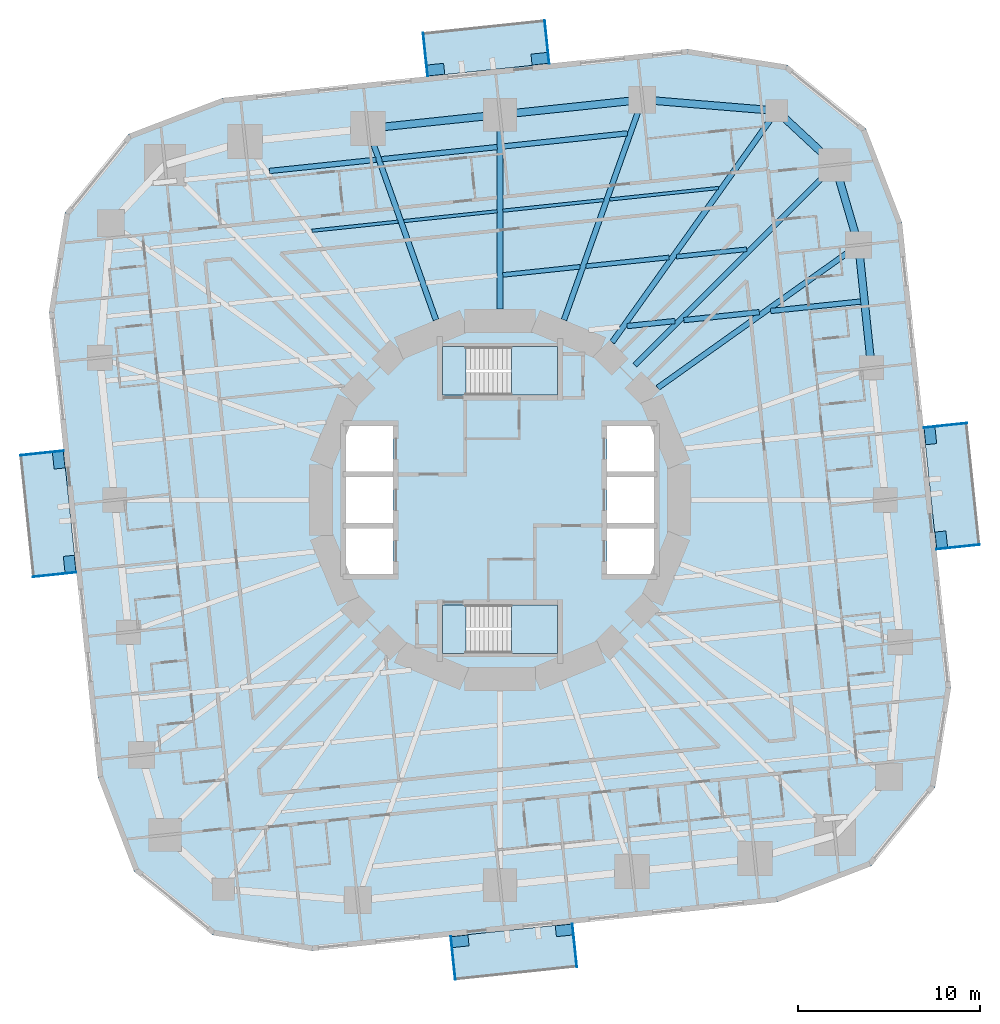
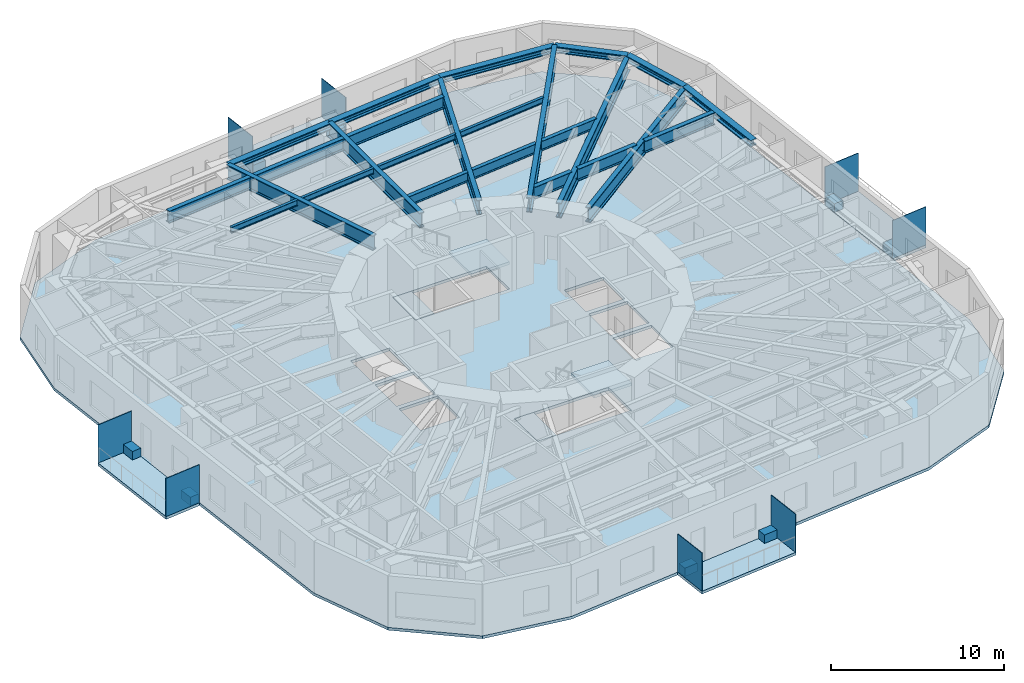
# One storey, part 3 of 13: 19 beams, 16 plates, 9 slabs, 6 members, 2 elements without a shape of their own.
"""IFC4 building model written with IfcOpenShell, lengths in metres."""

from ifc_helpers import new_model, si_unit, direction, frame, origin, origin_2d, place, context, subcontext, project, spatial, polyline, rectangle, i_section, outline, extrude, material, layer, layer_set, material_profile, profile_set, type_object, element, aggregate, save


model = new_model("IFC4")

# Units and contexts
model_context = context("Model", 3, precision=1e-05, world=origin(), true_north=direction((0.0, 1.0)))
body_context = subcontext(model_context, "Body", "Model", "MODEL_VIEW")
ifc_project = project(units=[si_unit("LENGTHUNIT", "METRE"), si_unit("AREAUNIT", "SQUARE_METRE"), si_unit("VOLUMEUNIT", "CUBIC_METRE"), si_unit("PLANEANGLEUNIT", "RADIAN"), si_unit("MASSUNIT", "GRAM", prefix="KILO")], contexts=[model_context])

# Site, building, storey
site_placement = place(None, origin())
site = spatial("IfcSite", under=ifc_project, at=site_placement, CompositionType="ELEMENT")
building_placement = place(site_placement, origin())
building = spatial("IfcBuilding", under=site, at=building_placement, Name="Nakasero Lantern House", CompositionType="ELEMENT")
storey_placement = place(building_placement, frame((0.0, 0.0, 91.300048828125)))
storey = spatial("IfcBuildingStorey", under=building, at=storey_placement, Name="L22", CompositionType="ELEMENT", Elevation=91.300048828125)

# Members
ifc_material_1 = material(Name="Steel S355", Category="steel")
ifc_material_profile_1 = material_profile(ifc_material_1, i_section(OverallWidth=0.41845703125, OverallDepth=0.45556640625, WebThickness=0.0419921875, FlangeThickness=0.0673828125, FilletRadius=0.01513671875, at=origin_2d()), Name="UC 356x406x551")
ifc_profile_set_1 = profile_set([ifc_material_profile_1], Name="Steel S355")
member_type = type_object("IfcMemberType", Name="Belt truss chord UC 356x406x551", PredefinedType="CHORD", material=ifc_profile_set_1)
member_1_placement = place(storey_placement, frame((20.35498046875, 7.2373046875, 3.422119140625), z_axis=(-0.10452524939, 0.994522233155, 0.0), x_axis=(-0.994522233155, -0.10452524939, 0.0)))
element("IfcMember", 1, at=member_1_placement, inside=storey, type_object=member_type, Name="Belt truss bottom chord T2 B2-C04", PredefinedType="CHORD", context=body_context, shape_type="SweptSolid", body=[
    extrude(i_section(OverallWidth=0.41845703125, OverallDepth=0.45556640625, WebThickness=0.0419921875, FlangeThickness=0.0673828125, FilletRadius=0.01513671875, at=origin_2d()), origin(), (0.0, 0.0, 1.0), 6.771240234375),
])
member_2_placement = place(storey_placement, frame((19.647216796875, 13.971435546875, 3.422119140625), z_axis=(-0.28161710443, 0.959526865957, 0.0), x_axis=(-0.959526865957, -0.28161710443, 0.0)))
element("IfcMember", 2, at=member_2_placement, inside=storey, type_object=member_type, Name="Belt truss bottom chord T2 B2-C05", PredefinedType="CHORD", context=body_context, shape_type="SweptSolid", body=[
    extrude(i_section(OverallWidth=0.41845703125, OverallDepth=0.45556640625, WebThickness=0.0419921875, FlangeThickness=0.0673828125, FilletRadius=0.01513671875, at=origin_2d()), origin(), (0.0, 0.0, 1.0), 4.572998046875),
])
member_3_placement = place(storey_placement, frame((18.359375, 18.359375, 3.422119140625), z_axis=(-0.732370510336, 0.680906333933, 0.0), x_axis=(-0.680906333933, -0.732370510336, 0.0)))
element("IfcMember", 3, at=member_3_placement, inside=storey, type_object=member_type, Name="Belt truss bottom chord T2 B2-C06", PredefinedType="CHORD", context=body_context, shape_type="SweptSolid", body=[
    extrude(i_section(OverallWidth=0.41845703125, OverallDepth=0.45556640625, WebThickness=0.0419921875, FlangeThickness=0.0673828125, FilletRadius=0.01513671875, at=origin_2d()), origin(), (0.0, 0.0, 1.0), 4.359619140625),
])
member_4_placement = place(storey_placement, frame((15.16650390625, 21.327880859375, 3.422119140625), z_axis=(-0.996618261264, 0.08217080574, 0.0), x_axis=(-0.08217080574, -0.996618261264, 0.0)))
element("IfcMember", 4, at=member_4_placement, inside=storey, type_object=member_type, Name="Belt truss bottom chord T2 B2-C07", PredefinedType="CHORD", context=body_context, shape_type="SweptSolid", body=[
    extrude(i_section(OverallWidth=0.41845703125, OverallDepth=0.45556640625, WebThickness=0.0419921875, FlangeThickness=0.0673828125, FilletRadius=0.01513671875, at=origin_2d()), origin(), (0.0, 0.0, 1.0), 7.39208984375),
])
member_5_placement = place(storey_placement, frame((7.79931640625, 21.935302734375, 3.422119140625), z_axis=(-0.994524030789, -0.104508144098, 0.0), x_axis=(0.104508144098, -0.994524030789, 0.0)))
element("IfcMember", 5, at=member_5_placement, inside=storey, type_object=member_type, Name="Belt truss bottom chord T2 B2-C08", PredefinedType="CHORD", context=body_context, shape_type="SweptSolid", body=[
    extrude(i_section(OverallWidth=0.41845703125, OverallDepth=0.45556640625, WebThickness=0.0419921875, FlangeThickness=0.0673828125, FilletRadius=0.01513671875, at=origin_2d()), origin(), (0.0, 0.0, 1.0), 7.84228515625),
])
member_6_placement = place(storey_placement, frame((0.0, 21.11572265625, 3.422119140625), z_axis=(-0.994520883746, -0.104538087767, 0.0), x_axis=(0.104538087767, -0.994520883746, 0.0)))
element("IfcMember", 6, at=member_6_placement, inside=storey, type_object=member_type, Name="Belt truss bottom chord T2 B2-C09", PredefinedType="CHORD", context=body_context, shape_type="SweptSolid", body=[
    extrude(i_section(OverallWidth=0.41845703125, OverallDepth=0.45556640625, WebThickness=0.0419921875, FlangeThickness=0.0673828125, FilletRadius=0.01513671875, at=origin_2d()), origin(), (0.0, 0.0, 1.0), 7.277099609375),
])

# Beams
ifc_material_2 = material(Name="Steel S355", Category="steel")
ifc_material_profile_2 = material_profile(ifc_material_2, i_section(OverallWidth=0.179443359375, OverallDepth=0.412841796875, WebThickness=0.009521484375, FlangeThickness=0.01611328125, FilletRadius=0.01025390625, at=origin_2d()), Name="UB 406x178x74")
ifc_profile_set_2 = profile_set([ifc_material_profile_2], Name="Steel S355")
beam_type_1 = type_object("IfcBeamType", Name="Infill beam UB 406x178x74", PredefinedType="JOIST", material=ifc_profile_set_2)
beam_1_placement = place(storey_placement, frame((-10.307373046875, 14.75341796875, 3.443603515625), z_axis=(0.994523747125, 0.104510843477, 0.0), x_axis=(-0.104510843477, 0.994523747125, 0.0)))
element("IfcBeam", 7, at=beam_1_placement, inside=storey, type_object=beam_type_1, Name="Infill beam L23 12.4", PredefinedType="JOIST", context=body_context, shape_type="SweptSolid", body=[
    extrude(i_section(OverallWidth=0.179443359375, OverallDepth=0.412841796875, WebThickness=0.009521484375, FlangeThickness=0.01611328125, FilletRadius=0.01025390625, at=origin_2d()), origin(), (0.0, 0.0, 1.0), 4.749267578125),
])
beam_2_placement = place(storey_placement, frame((-5.271728515625, 15.28271484375, 3.443603515625), z_axis=(0.994521035451, 0.104536644512, 0.0), x_axis=(-0.104536644512, 0.994521035451, 0.0)))
element("IfcBeam", 8, at=beam_2_placement, inside=storey, type_object=beam_type_1, Name="Infill beam L23 12.5", PredefinedType="JOIST", context=body_context, shape_type="SweptSolid", body=[
    extrude(i_section(OverallWidth=0.179443359375, OverallDepth=0.412841796875, WebThickness=0.009521484375, FlangeThickness=0.01611328125, FilletRadius=0.01025390625, at=origin_2d()), origin(), (0.0, 0.0, 1.0), 5.1474609375),
])
beam_3_placement = place(storey_placement, frame((0.152587890625, 15.852783203125, 3.443603515625), z_axis=(0.994523477097, 0.104513413028, 0.0), x_axis=(-0.104513413028, 0.994523477097, 0.0)))
element("IfcBeam", 9, at=beam_3_placement, inside=storey, type_object=beam_type_1, Name="Infill beam L23 12.6", PredefinedType="JOIST", context=body_context, shape_type="SweptSolid", body=[
    extrude(i_section(OverallWidth=0.179443359375, OverallDepth=0.412841796875, WebThickness=0.009521484375, FlangeThickness=0.01611328125, FilletRadius=0.01025390625, at=origin_2d()), origin(), (0.0, 0.0, 1.0), 5.56201171875),
])
beam_4_placement = place(storey_placement, frame((6.014892578125, 16.468994140625, 3.443603515625), z_axis=(0.994523091148, 0.104517085559, 0.0), x_axis=(-0.104517085559, 0.994523091148, 0.0)))
element("IfcBeam", 10, at=beam_4_placement, inside=storey, type_object=beam_type_1, Name="Infill beam L23 12.7", PredefinedType="JOIST", context=body_context, shape_type="SweptSolid", body=[
    extrude(i_section(OverallWidth=0.179443359375, OverallDepth=0.412841796875, WebThickness=0.009521484375, FlangeThickness=0.01611328125, FilletRadius=0.01025390625, at=origin_2d()), origin(), (0.0, 0.0, 1.0), 5.98681640625),
])
ifc_material_3 = material(Name="Steel S355", Category="steel")
ifc_material_profile_3 = material_profile(ifc_material_3, i_section(OverallWidth=0.253662109375, OverallDepth=0.68359375, WebThickness=0.012451171875, FlangeThickness=0.01904296875, FilletRadius=0.01513671875, at=origin_2d()), Name="UB 686x254x140")
ifc_profile_set_3 = profile_set([ifc_material_profile_3], Name="Steel S355")
beam_type_2 = type_object("IfcBeamType", Name="Infill beam UB 686x254x140", PredefinedType="JOIST", material=ifc_profile_set_3)
beam_5_placement = place(storey_placement, frame((0.152587890625, 12.33349609375, 3.30810546875), z_axis=(0.994520533601, 0.104541418809, 0.0), x_axis=(-0.104541418809, 0.994520533601, 0.0)))
element("IfcBeam", 11, at=beam_5_placement, inside=storey, type_object=beam_type_2, Name="Infill beam L23 11.6", PredefinedType="JOIST", context=body_context, shape_type="SweptSolid", body=[
    extrude(i_section(OverallWidth=0.253662109375, OverallDepth=0.68359375, WebThickness=0.012451171875, FlangeThickness=0.01904296875, FilletRadius=0.01513671875, at=origin_2d()), origin(), (0.0, 0.0, 1.0), 4.2548828125),
])
beam_6_placement = place(storey_placement, frame((4.71484375, 12.81298828125, 3.30810546875), z_axis=(0.994519189264, 0.104554206921, 0.0), x_axis=(-0.104554206921, 0.994519189264, 0.0)))
element("IfcBeam", 12, at=beam_6_placement, inside=storey, type_object=beam_type_2, Name="Infill beam L23 11.7", PredefinedType="JOIST", context=body_context, shape_type="SweptSolid", body=[
    extrude(i_section(OverallWidth=0.253662109375, OverallDepth=0.68359375, WebThickness=0.012451171875, FlangeThickness=0.01904296875, FilletRadius=0.01513671875, at=origin_2d()), origin(), (0.0, 0.0, 1.0), 4.574462890625),
])
beam_7_placement = place(storey_placement, frame((9.669189453125, 13.333740234375, 3.30810546875), z_axis=(0.994521333048, 0.104533813249, 0.0), x_axis=(-0.104533813249, 0.994521333048, 0.0)))
element("IfcBeam", 13, at=beam_7_placement, inside=storey, type_object=beam_type_2, Name="Infill beam L23 11.8", PredefinedType="JOIST", context=body_context, shape_type="SweptSolid", body=[
    extrude(i_section(OverallWidth=0.253662109375, OverallDepth=0.68359375, WebThickness=0.012451171875, FlangeThickness=0.01904296875, FilletRadius=0.01513671875, at=origin_2d()), origin(), (0.0, 0.0, 1.0), 3.872314453125),
])
ifc_material_4 = material(Name="Steel S355", Category="steel")
ifc_material_profile_4 = material_profile(ifc_material_4, i_section(OverallWidth=0.29248046875, OverallDepth=0.8408203125, WebThickness=0.0146484375, FlangeThickness=0.02685546875, FilletRadius=0.017822265625, at=origin_2d()), Name="UB 838x292x194")
ifc_profile_set_4 = profile_set([ifc_material_profile_4], Name="Steel S355")
beam_type_3 = type_object("IfcBeamType", Name="Infill beam UB 838x292x194", PredefinedType="JOIST", material=ifc_profile_set_4)
beam_8_placement = place(storey_placement, frame((6.96435546875, 9.5302734375, 3.2294921875), z_axis=(0.994526225025, 0.104487261125, 0.0), x_axis=(-0.104487261125, 0.994526225025, 0.0)))
element("IfcBeam", 14, at=beam_8_placement, inside=storey, type_object=beam_type_3, Name="Infill beam L23 10.5", PredefinedType="JOIST", context=body_context, shape_type="SweptSolid", body=[
    extrude(i_section(OverallWidth=0.29248046875, OverallDepth=0.8408203125, WebThickness=0.0146484375, FlangeThickness=0.02685546875, FilletRadius=0.017822265625, at=origin_2d()), origin(), (0.0, 0.0, 1.0), 2.637939453125),
])
beam_9_placement = place(storey_placement, frame((10.0751953125, 9.857177734375, 3.2294921875), z_axis=(0.994524117226, 0.104507321538, 0.0), x_axis=(-0.104507321538, 0.994524117226, 0.0)))
element("IfcBeam", 15, at=beam_9_placement, inside=storey, type_object=beam_type_3, Name="Infill beam L23 10.6", PredefinedType="JOIST", context=body_context, shape_type="SweptSolid", body=[
    extrude(i_section(OverallWidth=0.29248046875, OverallDepth=0.8408203125, WebThickness=0.0146484375, FlangeThickness=0.02685546875, FilletRadius=0.017822265625, at=origin_2d()), origin(), (0.0, 0.0, 1.0), 4.153564453125),
])
beam_10_placement = place(storey_placement, frame((14.83056640625, 10.35693359375, 3.2294921875), z_axis=(0.994522435587, 0.104523323304, 0.0), x_axis=(-0.104523323304, 0.994522435587, 0.0)))
element("IfcBeam", 16, at=beam_10_placement, inside=storey, type_object=beam_type_3, Name="Infill beam L23 10.7", PredefinedType="JOIST", context=body_context, shape_type="SweptSolid", body=[
    extrude(i_section(OverallWidth=0.29248046875, OverallDepth=0.8408203125, WebThickness=0.0146484375, FlangeThickness=0.02685546875, FilletRadius=0.017822265625, at=origin_2d()), origin(), (0.0, 0.0, 1.0), 4.958740234375),
])
beam_11_placement = place(storey_placement, frame((-12.6357421875, 18.028076171875, 3.2294921875), z_axis=(0.994523646697, 0.104511799143, 0.0), x_axis=(-0.104511799143, 0.994523646697, 0.0)))
element("IfcBeam", 17, at=beam_11_placement, inside=storey, type_object=beam_type_3, Name="Infill beam L23 13.3", PredefinedType="JOIST", context=body_context, shape_type="SweptSolid", body=[
    extrude(i_section(OverallWidth=0.29248046875, OverallDepth=0.8408203125, WebThickness=0.0146484375, FlangeThickness=0.02685546875, FilletRadius=0.017822265625, at=origin_2d()), origin(), (0.0, 0.0, 1.0), 5.87744140625),
])
beam_12_placement = place(storey_placement, frame((-6.47802734375, 18.675048828125, 3.2294921875), z_axis=(0.994518485609, 0.104560899873, 0.0), x_axis=(-0.104560899873, 0.994518485609, 0.0)))
element("IfcBeam", 18, at=beam_12_placement, inside=storey, type_object=beam_type_3, Name="Infill beam L23 13.4", PredefinedType="JOIST", context=body_context, shape_type="SweptSolid", body=[
    extrude(i_section(OverallWidth=0.29248046875, OverallDepth=0.8408203125, WebThickness=0.0146484375, FlangeThickness=0.02685546875, FilletRadius=0.017822265625, at=origin_2d()), origin(), (0.0, 0.0, 1.0), 6.3603515625),
])
beam_13_placement = place(storey_placement, frame((0.152587890625, 19.3720703125, 3.2294921875), z_axis=(0.994521605712, 0.104531219127, 0.0), x_axis=(-0.104531219127, 0.994521605712, 0.0)))
element("IfcBeam", 19, at=beam_13_placement, inside=storey, type_object=beam_type_3, Name="Infill beam L23 13.5", PredefinedType="JOIST", context=body_context, shape_type="SweptSolid", body=[
    extrude(i_section(OverallWidth=0.29248046875, OverallDepth=0.8408203125, WebThickness=0.0146484375, FlangeThickness=0.02685546875, FilletRadius=0.017822265625, at=origin_2d()), origin(), (0.0, 0.0, 1.0), 6.868896484375),
])
ifc_material_5 = material(Name="Steel S355", Category="steel")
ifc_material_profile_5 = material_profile(ifc_material_5, i_section(OverallWidth=0.300048828125, OverallDepth=1.0, WebThickness=0.01904296875, FlangeThickness=0.035888671875, FilletRadius=0.030029296875, at=origin_2d()), Name="UB 1016x305x314")
ifc_profile_set_5 = profile_set([ifc_material_profile_5], Name="Steel S355")
beam_type_4 = type_object("IfcBeamType", Name="Primary beam UB 1016x305x314, span 12 to 15 m", PredefinedType="BEAM", material=ifc_profile_set_5)
beam_14_placement = place(storey_placement, frame((7.79931640625, 21.935302734375, 3.14990234375), z_axis=(-0.335017564047, -0.942211882636, 0.0), x_axis=(0.942211882636, -0.335017564047, 0.0)))
element("IfcBeam", 20, at=beam_14_placement, inside=storey, type_object=beam_type_4, Name="Primary beam L23 B2-C08", PredefinedType="BEAM", context=body_context, shape_type="SweptSolid", body=[
    extrude(i_section(OverallWidth=0.300048828125, OverallDepth=1.0, WebThickness=0.01904296875, FlangeThickness=0.035888671875, FilletRadius=0.030029296875, at=origin_2d()), origin(), (0.0, 0.0, 1.0), 12.80908203125),
])
ifc_material_6 = material(Name="Steel S355", Category="steel")
ifc_material_profile_6 = material_profile(ifc_material_6, i_section(OverallWidth=0.305419921875, OverallDepth=1.026123046875, WebThickness=0.02685546875, FlangeThickness=0.049072265625, FilletRadius=0.030029296875, at=origin_2d()), Name="UB 1016x305x437")
ifc_profile_set_6 = profile_set([ifc_material_profile_6], Name="Steel S355")
beam_type_5 = type_object("IfcBeamType", Name="Primary beam UB 1016x305x437, span 9 to 12 m", PredefinedType="BEAM", material=ifc_profile_set_6)
beam_15_placement = place(storey_placement, frame((0.0, 21.11572265625, 3.136962890625), z_axis=(0.0, -1.0, 0.0), x_axis=(1.0, 0.0, 0.0)))
element("IfcBeam", 21, at=beam_15_placement, inside=storey, type_object=beam_type_5, Name="Primary beam L23 B2-C09", PredefinedType="BEAM", context=body_context, shape_type="SweptSolid", body=[
    extrude(i_section(OverallWidth=0.305419921875, OverallDepth=1.026123046875, WebThickness=0.02685546875, FlangeThickness=0.049072265625, FilletRadius=0.030029296875, at=origin_2d()), origin(), (0.0, 0.0, 1.0), 10.657958984375),
])
beam_16_placement = place(storey_placement, frame((-7.2373046875, 20.35498046875, 3.136962890625), z_axis=(0.335009234979, -0.942214844119, 0.0), x_axis=(0.942214844119, 0.335009234979, 0.0)))
element("IfcBeam", 22, at=beam_16_placement, inside=storey, type_object=beam_type_5, Name="Primary beam L23 B2-C10", PredefinedType="BEAM", context=body_context, shape_type="SweptSolid", body=[
    extrude(i_section(OverallWidth=0.305419921875, OverallDepth=1.026123046875, WebThickness=0.02685546875, FlangeThickness=0.049072265625, FilletRadius=0.030029296875, at=origin_2d()), origin(), (0.0, 0.0, 1.0), 11.1318359375),
])
ifc_material_7 = material(Name="Steel S355", Category="steel")
ifc_material_profile_7 = material_profile(ifc_material_7, i_section(OverallWidth=0.305419921875, OverallDepth=1.026123046875, WebThickness=0.02685546875, FlangeThickness=0.049072265625, FilletRadius=0.030029296875, at=origin_2d()), Name="UB 1016x305x437")
ifc_profile_set_7 = profile_set([ifc_material_profile_7], Name="Steel S355")
beam_type_6 = type_object("IfcBeamType", Name="Primary beam UB 1016x305x437, span over 15 m", PredefinedType="BEAM", material=ifc_profile_set_7)
beam_17_placement = place(storey_placement, frame((15.16650390625, 21.327880859375, 3.136962890625), z_axis=(-0.57952911085, -0.814951538239, 0.0), x_axis=(0.814951538239, -0.57952911085, 0.0)))
element("IfcBeam", 23, at=beam_17_placement, inside=storey, type_object=beam_type_6, Name="Primary beam L23 B2-C07", PredefinedType="BEAM", context=body_context, shape_type="SweptSolid", body=[
    extrude(i_section(OverallWidth=0.305419921875, OverallDepth=1.026123046875, WebThickness=0.02685546875, FlangeThickness=0.049072265625, FilletRadius=0.030029296875, at=origin_2d()), origin(), (0.0, 0.0, 1.0), 15.564697265625),
])
ifc_material_8 = material(Name="Steel S355", Category="steel")
ifc_material_profile_8 = material_profile(ifc_material_8, i_section(OverallWidth=0.30859375, OverallDepth=1.036376953125, WebThickness=0.030029296875, FlangeThickness=0.05419921875, FilletRadius=0.030029296875, at=origin_2d()), Name="UB 1016x305x487")
ifc_profile_set_8 = profile_set([ifc_material_profile_8], Name="Steel S355")
beam_type_7 = type_object("IfcBeamType", Name="Primary beam UB 1016x305x487, span 12 to 15 m", PredefinedType="BEAM", material=ifc_profile_set_8)
beam_18_placement = place(storey_placement, frame((19.647216796875, 13.971435546875, 3.081787109375), z_axis=(-0.814948492976, -0.579533393168, 0.0), x_axis=(0.579533393168, -0.814948492976, 0.0)))
element("IfcBeam", 24, at=beam_18_placement, inside=storey, type_object=beam_type_7, Name="Primary beam L23 B2-C05", PredefinedType="BEAM", context=body_context, shape_type="SweptSolid", body=[
    extrude(i_section(OverallWidth=0.30859375, OverallDepth=1.036376953125, WebThickness=0.030029296875, FlangeThickness=0.05419921875, FilletRadius=0.030029296875, at=origin_2d()), origin(), (0.0, 0.0, 1.0), 13.502685546875),
])
ifc_material_9 = material(Name="Steel S355", Category="steel")
ifc_material_profile_9 = material_profile(ifc_material_9, i_section(OverallWidth=0.30859375, OverallDepth=1.036376953125, WebThickness=0.030029296875, FlangeThickness=0.05419921875, FilletRadius=0.030029296875, at=origin_2d()), Name="UB 1016x305x487")
ifc_profile_set_9 = profile_set([ifc_material_profile_9], Name="Steel S355")
beam_type_8 = type_object("IfcBeamType", Name="Primary beam UB 1016x305x487, span over 15 m", PredefinedType="BEAM", material=ifc_profile_set_9)
beam_19_placement = place(storey_placement, frame((18.359375, 18.359375, 3.081787109375), z_axis=(-0.707106781187, -0.707106781187, 0.0), x_axis=(0.707106781187, -0.707106781187, 0.0)))
element("IfcBeam", 25, at=beam_19_placement, inside=storey, type_object=beam_type_8, Name="Primary beam L23 B2-C06", PredefinedType="BEAM", context=body_context, shape_type="SweptSolid", body=[
    extrude(i_section(OverallWidth=0.30859375, OverallDepth=1.036376953125, WebThickness=0.030029296875, FlangeThickness=0.05419921875, FilletRadius=0.030029296875, at=origin_2d()), origin(), (0.0, 0.0, 1.0), 15.50634765625),
])

# Plates
ifc_material_10 = material(Name="Aluminium 6063-T6", Category="aluminium")
ifc_layer_1 = layer(ifc_material_10, 0.60009765625)
ifc_layer_set_1 = layer_set([ifc_layer_1], Name="Balcony planter 600x900")
plate_type_1 = type_object("IfcPlateType", Name="Balcony planter 600x900", PredefinedType="USERDEFINED", material=ifc_layer_set_1)
for number, where, z_axis, x_axis, name in (
    (26, (24.1796875, -2.174560546875, 0.0), (0.0, 0.0, 1.0), (0.994521895368, 0.104528463268, 0.0), "Balcony PLANTER L22 BAL0A"),
    (27, (23.58251953125, 3.507568359375, 0.0), (0.0, 0.0, 1.0), (0.994521895368, 0.104528463268, 0.0), "Balcony PLANTER L22 BAL0B"),
    (28, (2.174560546875, 24.1796875, 0.0), (0.0, 0.0, 1.0), (-0.104528463268, 0.994521895368, 0.0), "Balcony PLANTER L22 BAL1A"),
    (29, (-3.507568359375, 23.58251953125, 0.0), (0.0, 0.0, 1.0), (-0.104528463268, 0.994521895368, 0.0), "Balcony PLANTER L22 BAL1B"),
    (30, (-24.1796875, 2.174560546875, 0.0), (0.0, 0.0, 1.0), (-0.994521895368, -0.104528463268, 0.0), "Balcony PLANTER L22 BAL2A"),
    (31, (-23.58251953125, -3.507568359375, 0.0), (0.0, 0.0, 1.0), (-0.994521895368, -0.104528463268, 0.0), "Balcony PLANTER L22 BAL2B"),
    (32, (-2.174560546875, -24.1796875, 0.0), (0.0, 0.0, 1.0), (0.104528463268, -0.994521895368, 0.0), "Balcony PLANTER L22 BAL3A"),
    (33, (3.507568359375, -23.58251953125, 0.0), (0.0, 0.0, 1.0), (0.104528463268, -0.994521895368, 0.0), "Balcony PLANTER L22 BAL3B"),
):
    element("IfcPlate", number, at=place(storey_placement, frame(where, z_axis=z_axis, x_axis=x_axis)), inside=storey, type_object=plate_type_1, Name=name, ObjectType="PLANTER", PredefinedType="USERDEFINED", context=body_context, shape_type="SweptSolid", body=[
        extrude(rectangle(XDim=0.60009765625, YDim=0.89990234375, at=origin_2d()), origin(), (0.0, 0.0, 1.0), 0.60009765625),
    ])
ifc_material_11 = material(Name="Aluminium 6063-T6", Category="aluminium")
ifc_layer_2 = layer(ifc_material_11, 0.0400390625)
ifc_layer_set_2 = layer_set([ifc_layer_2], Name="Balcony screen 2400x2700")
plate_type_2 = type_object("IfcPlateType", Name="Balcony screen 2400x2700", PredefinedType="SHEET", material=ifc_layer_set_2)
for number, where, z_axis, x_axis, name in (
    (34, (25.106201171875, -2.56982421875, 0.0), (0.0, 0.0, 1.0), (0.994521895368, 0.104528463268, 0.0), "Balcony SCREEN L22 BAL0A"),
    (35, (24.406494140625, 4.0869140625, 0.0), (0.0, 0.0, 1.0), (0.994521895368, 0.104528463268, 0.0), "Balcony SCREEN L22 BAL0B"),
    (36, (2.56982421875, 25.106201171875, 0.0), (0.0, 0.0, 1.0), (-0.104528463268, 0.994521895368, 0.0), "Balcony SCREEN L22 BAL1A"),
    (37, (-4.0869140625, 24.406494140625, 0.0), (0.0, 0.0, 1.0), (-0.104528463268, 0.994521895368, 0.0), "Balcony SCREEN L22 BAL1B"),
    (38, (-25.106201171875, 2.56982421875, 0.0), (0.0, 0.0, 1.0), (-0.994521895368, -0.104528463268, 0.0), "Balcony SCREEN L22 BAL2A"),
    (39, (-24.406494140625, -4.0869140625, 0.0), (0.0, 0.0, 1.0), (-0.994521895368, -0.104528463268, 0.0), "Balcony SCREEN L22 BAL2B"),
    (40, (-2.56982421875, -25.106201171875, 0.0), (0.0, 0.0, 1.0), (0.104528463268, -0.994521895368, 0.0), "Balcony SCREEN L22 BAL3A"),
    (41, (4.0869140625, -24.406494140625, 0.0), (0.0, 0.0, 1.0), (0.104528463268, -0.994521895368, 0.0), "Balcony SCREEN L22 BAL3B"),
):
    element("IfcPlate", number, at=place(storey_placement, frame(where, z_axis=z_axis, x_axis=x_axis)), inside=storey, type_object=plate_type_2, Name=name, PredefinedType="SHEET", context=body_context, shape_type="SweptSolid", body=[
        extrude(rectangle(XDim=2.39990234375, YDim=0.0400390625, at=origin_2d()), origin(), (0.0, 0.0, 1.0), 2.699951171875),
    ])

# Slabs
ifc_material_12 = material(Name="Concrete C35/45", Category="concrete")
ifc_layer_3 = layer(ifc_material_12, 0.199951171875)
ifc_layer_set_3 = layer_set([ifc_layer_3], Name="Balcony slab 200")
slab_type_1 = type_object("IfcSlabType", Name="Balcony slab 200", PredefinedType="USERDEFINED", material=ifc_layer_set_3)
slab_1_placement = place(storey_placement, frame((0.0, 0.0, -0.199951171875)))
element("IfcSlab", 42, at=slab_1_placement, inside=storey, type_object=slab_type_1, Name="Balcony L22 BAL0", ObjectType="BALCONY", PredefinedType="USERDEFINED", context=body_context, shape_type="SweptSolid", body=[
    extrude(outline(polyline([(23.914794921875, -2.715087890625), (26.3017578125, -2.464111328125), (25.597900390625, 4.232177734375), (23.2109375, 3.9814453125), (23.914794921875, -2.715087890625)])), origin(), (0.0, 0.0, 1.0), 0.199951171875),
])
slab_2_placement = place(storey_placement, frame((0.0, 0.0, -0.199951171875)))
element("IfcSlab", 43, at=slab_2_placement, inside=storey, type_object=slab_type_1, Name="Balcony L22 BAL1", ObjectType="BALCONY", PredefinedType="USERDEFINED", context=body_context, shape_type="SweptSolid", body=[
    extrude(outline(polyline([(2.715087890625, 23.914794921875), (2.464111328125, 26.3017578125), (-4.232177734375, 25.597900390625), (-3.9814453125, 23.2109375), (2.715087890625, 23.914794921875)])), origin(), (0.0, 0.0, 1.0), 0.199951171875),
])
slab_3_placement = place(storey_placement, frame((0.0, 0.0, -0.199951171875)))
element("IfcSlab", 44, at=slab_3_placement, inside=storey, type_object=slab_type_1, Name="Balcony L22 BAL2", ObjectType="BALCONY", PredefinedType="USERDEFINED", context=body_context, shape_type="SweptSolid", body=[
    extrude(outline(polyline([(-23.914794921875, 2.715087890625), (-26.3017578125, 2.464111328125), (-25.597900390625, -4.232177734375), (-23.2109375, -3.9814453125), (-23.914794921875, 2.715087890625)])), origin(), (0.0, 0.0, 1.0), 0.199951171875),
])
slab_4_placement = place(storey_placement, frame((0.0, 0.0, -0.199951171875)))
element("IfcSlab", 45, at=slab_4_placement, inside=storey, type_object=slab_type_1, Name="Balcony L22 BAL3", ObjectType="BALCONY", PredefinedType="USERDEFINED", context=body_context, shape_type="SweptSolid", body=[
    extrude(outline(polyline([(-2.715087890625, -23.914794921875), (-2.464111328125, -26.3017578125), (4.232177734375, -25.597900390625), (3.9814453125, -23.2109375), (-2.715087890625, -23.914794921875)])), origin(), (0.0, 0.0, 1.0), 0.199951171875),
])
ifc_material_13 = material(Name="Concrete C35/45", Category="concrete")
ifc_layer_4 = layer(ifc_material_13, 0.199951171875)
ifc_layer_set_4 = layer_set([ifc_layer_4], Name="Composite floor slab 200")
slab_type_2 = type_object("IfcSlabType", Name="Composite floor slab 200", PredefinedType="FLOOR", material=ifc_layer_set_4)
slab_5_placement = place(storey_placement, frame((0.0, 0.0, -0.199951171875)))
element("IfcSlab", 46, at=slab_5_placement, inside=storey, type_object=slab_type_2, Name="Floor slab L22", PredefinedType="FLOOR", context=body_context, shape_type="SweptSolid", body=[
    extrude(outline(polyline([(22.033203125, 15.186279296875), (20.04833984375, 20.357177734375), (15.743896484375, 23.8427734375), (10.2734375, 24.709228515625), (-15.186279296875, 22.033203125), (-20.357177734375, 20.04833984375), (-23.8427734375, 15.743896484375), (-24.709228515625, 10.2734375), (-22.033203125, -15.186279296875), (-20.04833984375, -20.357177734375), (-15.743896484375, -23.8427734375), (-10.2734375, -24.709228515625), (15.186279296875, -22.033203125), (20.357177734375, -20.04833984375), (23.8427734375, -15.743896484375), (24.709228515625, -10.2734375), (22.033203125, 15.186279296875)]), holes=[polyline([(-8.449951171875, -4.050048828125), (-5.85009765625, -4.050048828125), (-5.85009765625, -1.550048828125), (-8.449951171875, -1.550048828125), (-8.449951171875, -4.050048828125)]), polyline([(-8.449951171875, -1.25), (-5.85009765625, -1.25), (-5.85009765625, 1.25), (-8.449951171875, 1.25), (-8.449951171875, -1.25)]), polyline([(-8.449951171875, 1.550048828125), (-5.85009765625, 1.550048828125), (-5.85009765625, 4.050048828125), (-8.449951171875, 4.050048828125), (-8.449951171875, 1.550048828125)]), polyline([(5.85009765625, -4.050048828125), (8.449951171875, -4.050048828125), (8.449951171875, -1.550048828125), (5.85009765625, -1.550048828125), (5.85009765625, -4.050048828125)]), polyline([(5.85009765625, -1.25), (8.449951171875, -1.25), (8.449951171875, 1.25), (5.85009765625, 1.25), (5.85009765625, -1.25)]), polyline([(5.85009765625, 1.550048828125), (8.449951171875, 1.550048828125), (8.449951171875, 4.050048828125), (5.85009765625, 4.050048828125), (5.85009765625, 1.550048828125)]), polyline([(-3.14990234375, 5.75), (3.14990234375, 5.75), (3.14990234375, 8.39990234375), (-3.14990234375, 8.39990234375), (-3.14990234375, 5.75)]), polyline([(-3.14990234375, -8.39990234375), (3.14990234375, -8.39990234375), (3.14990234375, -5.75), (-3.14990234375, -5.75), (-3.14990234375, -8.39990234375)])]), origin(), (0.0, 0.0, 1.0), 0.199951171875),
])

# Stair, slabs
ifc_material_14 = material(Name="Concrete C40/50", Category="concrete")
stair_type_1 = type_object("IfcStairType", Name="Escape stair ST1 22 risers", PredefinedType="HALF_TURN_STAIR", material=ifc_material_14)
stair_1_placement = place(storey_placement, origin())
stair_1 = element("IfcStair", 47, at=stair_1_placement, inside=storey, type_object=stair_type_1, Name="Escape stair ST1 L22", PredefinedType="HALF_TURN_STAIR")
ifc_material_15 = material(Name="Concrete C40/50", Category="concrete")
ifc_layer_5 = layer(ifc_material_15, 0.199951171875)
ifc_layer_set_5 = layer_set([ifc_layer_5], Name="Stair landing 200")
slab_type_3 = type_object("IfcSlabType", Name="Stair landing 200", PredefinedType="LANDING", material=ifc_layer_set_5)
slab_6_placement = place(storey_placement, frame((0.0, 0.0, -0.199951171875)))
slab_6 = element("IfcSlab", 48, at=slab_6_placement, type_object=slab_type_3, Name="ST1 landing 1", PredefinedType="LANDING", context=body_context, shape_type="SweptSolid", body=[
    extrude(outline(polyline([(-3.14990234375, 5.75), (-1.875, 5.75), (-1.875, 8.39990234375), (-3.14990234375, 8.39990234375), (-3.14990234375, 5.75)])), origin(), (0.0, 0.0, 1.0), 0.199951171875),
])
slab_7_placement = place(storey_placement, frame((0.0, 0.0, 1.724853515625)))
slab_7 = element("IfcSlab", 49, at=slab_7_placement, type_object=slab_type_3, Name="ST1 landing 2", PredefinedType="LANDING", context=body_context, shape_type="SweptSolid", body=[
    extrude(outline(polyline([(0.625, 5.75), (3.14990234375, 5.75), (3.14990234375, 8.39990234375), (0.625, 8.39990234375), (0.625, 5.75)])), origin(), (0.0, 0.0, 1.0), 0.2001953125),
])
aggregate(stair_1, [slab_6, slab_7])

ifc_material_16 = material(Name="Concrete C40/50", Category="concrete")
stair_type_2 = type_object("IfcStairType", Name="Escape stair ST2 22 risers", PredefinedType="HALF_TURN_STAIR", material=ifc_material_16)
stair_2_placement = place(storey_placement, origin())
stair_2 = element("IfcStair", 50, at=stair_2_placement, inside=storey, type_object=stair_type_2, Name="Escape stair ST2 L22", PredefinedType="HALF_TURN_STAIR")
slab_8_placement = place(storey_placement, frame((0.0, 0.0, -0.199951171875)))
slab_8 = element("IfcSlab", 51, at=slab_8_placement, type_object=slab_type_3, Name="ST2 landing 1", PredefinedType="LANDING", context=body_context, shape_type="SweptSolid", body=[
    extrude(outline(polyline([(-3.14990234375, -8.39990234375), (-1.875, -8.39990234375), (-1.875, -5.75), (-3.14990234375, -5.75), (-3.14990234375, -8.39990234375)])), origin(), (0.0, 0.0, 1.0), 0.199951171875),
])
slab_9_placement = place(storey_placement, frame((0.0, 0.0, 1.724853515625)))
slab_9 = element("IfcSlab", 52, at=slab_9_placement, type_object=slab_type_3, Name="ST2 landing 2", PredefinedType="LANDING", context=body_context, shape_type="SweptSolid", body=[
    extrude(outline(polyline([(0.625, -8.39990234375), (3.14990234375, -8.39990234375), (3.14990234375, -5.75), (0.625, -5.75), (0.625, -8.39990234375)])), origin(), (0.0, 0.0, 1.0), 0.2001953125),
])
aggregate(stair_2, [slab_8, slab_9])

save(model, "model.ifc")
